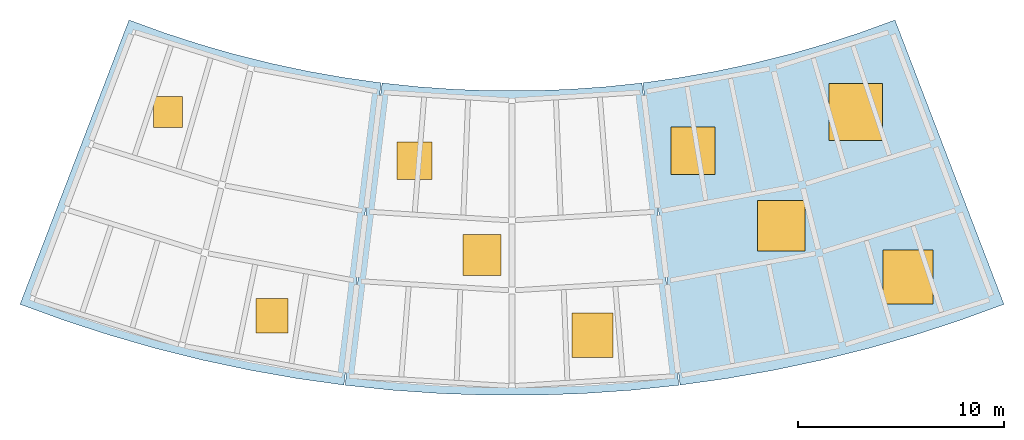
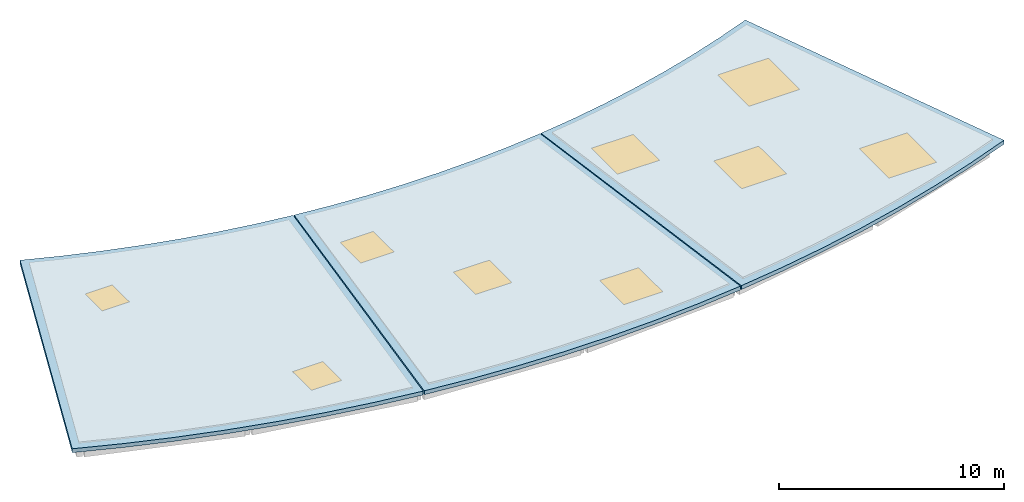
# One storey, part 2 of 3: 9 windows, 3 slabs, 9 openings, 1 element without a shape of its own.
"""IFC4 building model written with IfcOpenShell, lengths in metres."""

from ifc_helpers import new_model, si_unit, direction, frame, origin, origin_2d, place, context, subcontext, project, spatial, polyline, rectangle, outline, extrude, material, layer, layer_set, type_object, element, fill, aggregate, save


model = new_model("IFC4")

# Units and contexts
model_context = context("Model", 3, precision=1e-05, world=origin(), true_north=direction((0.0, 1.0)))
body_context = subcontext(model_context, "Body", "Model", "MODEL_VIEW")
ifc_project = project(units=[si_unit("LENGTHUNIT", "METRE"), si_unit("AREAUNIT", "SQUARE_METRE"), si_unit("VOLUMEUNIT", "CUBIC_METRE"), si_unit("PLANEANGLEUNIT", "RADIAN"), si_unit("MASSUNIT", "GRAM", prefix="KILO")], contexts=[model_context])

# Site, building, storey
site_placement = place(None, origin())
site = spatial("IfcSite", under=ifc_project, at=site_placement, CompositionType="ELEMENT")
building_placement = place(site_placement, origin())
building = spatial("IfcBuilding", under=site, at=building_placement, Name="Caldaven Crescent School", CompositionType="ELEMENT")
storey_placement = place(building_placement, frame((0.0, 0.0, 23.1201171875)))
storey = spatial("IfcBuildingStorey", under=building, at=storey_placement, Name="Roof", CompositionType="ELEMENT", Elevation=23.1201171875)

# Roof, slabs, openings, windows
roof_placement = place(storey_placement, origin())
roof = element("IfcRoof", 1, at=roof_placement, inside=storey, Name="ROOF-V5-CROWN", PredefinedType="FLAT_ROOF")
ifc_material_1 = material(Name="Cross-laminated timber CLT C24", Category="wood")
ifc_layer = layer(ifc_material_1, 0.2099609375)
ifc_layer_set = layer_set([ifc_layer], Name="Cross-laminated timber CLT C24")
slab_type = type_object("IfcSlabType", Name="SLB-RS4", PredefinedType="ROOF", material=ifc_layer_set)
slab_1_placement = place(storey_placement, frame((0.0, 0.0, -0.210205078125)))
slab_1 = element("IfcSlab", 2, at=slab_1_placement, type_object=slab_type, Name="SLB-ROOF-V5-B05", PredefinedType="ROOF", context=body_context, shape_type="SweptSolid", body=[
    extrude(outline(polyline([(64.086669921875, 33.626953125), (66.2705078125, 32.8330078125), (68.480712890625, 32.115478515625), (70.714599609375, 31.47509765625), (72.969482421875, 30.912841796875), (75.242431640625, 30.429443359375), (77.53076171875, 30.025390625), (79.83203125, 29.701171875), (81.6416015625, 44.39013671875), (79.850341796875, 44.642578125), (78.06884765625, 44.95703125), (76.299560546875, 45.33349609375), (74.54443359375, 45.77099609375), (72.805419921875, 46.26953125), (71.0849609375, 46.828125), (69.384765625, 47.4462890625), (64.086669921875, 33.626953125)])), origin(), (0.0, 0.0, 1.0), 0.210205078125),
])
opening_1_placement = place(slab_1_placement, frame((71.28076171875, 42.973388671875, -0.010009765625)))
opening_1 = element("IfcOpeningElement", 3, at=opening_1_placement, cuts=slab_1, Name="Opening SK01", PredefinedType="OPENING", context=body_context, shape_type="SweptSolid", body=[
    extrude(rectangle(XDim=1.39990234375, YDim=1.510009765625, at=origin_2d()), origin(), (0.0, 0.0, 1.0), 0.230224609375),
])
opening_2_placement = place(slab_1_placement, frame((76.3369140625, 33.07177734375, -0.010009765625)))
opening_2 = element("IfcOpeningElement", 4, at=opening_2_placement, cuts=slab_1, Name="Opening SK02", PredefinedType="OPENING", context=body_context, shape_type="SweptSolid", body=[
    extrude(rectangle(XDim=1.550048828125, YDim=1.669921875, at=origin_2d()), origin(), (0.0, 0.0, 1.0), 0.230224609375),
])
ifc_material_2 = material(Name="Thermally broken laminated safety skylight glazing", Category="glass")
window_type_1 = type_object("IfcWindowType", Name="WIN-SKY01", PartitioningType="SINGLE_PANEL", PredefinedType="SKYLIGHT", material=ifc_material_2)
window_1_placement = place(opening_1_placement, frame((0.0, 0.0, 0.170166015625)))
window_1 = element("IfcWindow", 5, at=window_1_placement, inside=storey, type_object=window_type_1, Name="SKY-ROOF-V5-01", OverallHeight=1.510009765625, OverallWidth=1.39990234375, PartitioningType="SINGLE_PANEL", PredefinedType="SKYLIGHT", context=body_context, shape_type="SweptSolid", body=[
    extrude(rectangle(XDim=1.39990234375, YDim=1.510009765625, at=origin_2d()), origin(), (0.0, 0.0, 1.0), 0.050048828125),
])
fill(opening_1, window_1)
window_type_2 = type_object("IfcWindowType", Name="WIN-SKY02", PartitioningType="SINGLE_PANEL", PredefinedType="SKYLIGHT", material=ifc_material_2)
window_2_placement = place(opening_2_placement, frame((0.0, 0.0, 0.170166015625)))
window_2 = element("IfcWindow", 6, at=window_2_placement, inside=storey, type_object=window_type_2, Name="SKY-ROOF-V5-02", OverallHeight=1.669921875, OverallWidth=1.550048828125, PartitioningType="SINGLE_PANEL", PredefinedType="SKYLIGHT", context=body_context, shape_type="SweptSolid", body=[
    extrude(rectangle(XDim=1.550048828125, YDim=1.669921875, at=origin_2d()), origin(), (0.0, 0.0, 1.0), 0.050048828125),
])
fill(opening_2, window_2)
slab_2_placement = place(storey_placement, frame((0.0, 0.0, -0.210205078125)))
slab_2 = element("IfcSlab", 7, at=slab_2_placement, type_object=slab_type, Name="SLB-ROOF-V5-B07", PredefinedType="ROOF", context=body_context, shape_type="SweptSolid", body=[
    extrude(outline(polyline([(79.88623046875, 29.694580078125), (82.197509765625, 29.452392578125), (84.515625, 29.291015625), (86.838134765625, 29.210205078125), (89.161865234375, 29.210205078125), (91.484375, 29.291015625), (93.802490234375, 29.452392578125), (96.11376953125, 29.694580078125), (94.316162109375, 44.385009765625), (92.516845703125, 44.196533203125), (90.71240234375, 44.07080078125), (88.904541015625, 44.0078125), (87.095458984375, 44.0078125), (85.28759765625, 44.07080078125), (83.483154296875, 44.196533203125), (81.683837890625, 44.385009765625), (79.88623046875, 29.694580078125)])), origin(), (0.0, 0.0, 1.0), 0.210205078125),
])
opening_3_placement = place(slab_2_placement, frame((83.250732421875, 40.603271484375, -0.010009765625)))
opening_3 = element("IfcOpeningElement", 8, at=opening_3_placement, cuts=slab_2, Name="Opening SK03", PredefinedType="OPENING", context=body_context, shape_type="SweptSolid", body=[
    extrude(rectangle(XDim=1.699951171875, YDim=1.830078125, at=origin_2d()), origin(), (0.0, 0.0, 1.0), 0.230224609375),
])
opening_4_placement = place(slab_2_placement, frame((86.5341796875, 36.017822265625, -0.010009765625)))
opening_4 = element("IfcOpeningElement", 9, at=opening_4_placement, cuts=slab_2, Name="Opening SK04", PredefinedType="OPENING", context=body_context, shape_type="SweptSolid", body=[
    extrude(rectangle(XDim=1.85009765625, YDim=1.989990234375, at=origin_2d()), origin(), (0.0, 0.0, 1.0), 0.230224609375),
])
opening_5_placement = place(slab_2_placement, frame((91.9072265625, 32.119384765625, -0.010009765625)))
opening_5 = element("IfcOpeningElement", 10, at=opening_5_placement, cuts=slab_2, Name="Opening SK05", PredefinedType="OPENING", context=body_context, shape_type="SweptSolid", body=[
    extrude(rectangle(XDim=2.0, YDim=2.14990234375, at=origin_2d()), origin(), (0.0, 0.0, 1.0), 0.230224609375),
])
window_type_3 = type_object("IfcWindowType", Name="WIN-SKY03", PartitioningType="SINGLE_PANEL", PredefinedType="SKYLIGHT", material=ifc_material_2)
window_3_placement = place(opening_3_placement, frame((0.0, 0.0, 0.170166015625)))
window_3 = element("IfcWindow", 11, at=window_3_placement, inside=storey, type_object=window_type_3, Name="SKY-ROOF-V5-03", OverallHeight=1.830078125, OverallWidth=1.699951171875, PartitioningType="SINGLE_PANEL", PredefinedType="SKYLIGHT", context=body_context, shape_type="SweptSolid", body=[
    extrude(rectangle(XDim=1.699951171875, YDim=1.830078125, at=origin_2d()), origin(), (0.0, 0.0, 1.0), 0.050048828125),
])
fill(opening_3, window_3)
window_type_4 = type_object("IfcWindowType", Name="WIN-SKY04", PartitioningType="SINGLE_PANEL", PredefinedType="SKYLIGHT", material=ifc_material_2)
window_4_placement = place(opening_4_placement, frame((0.0, 0.0, 0.170166015625)))
window_4 = element("IfcWindow", 12, at=window_4_placement, inside=storey, type_object=window_type_4, Name="SKY-ROOF-V5-04", OverallHeight=1.989990234375, OverallWidth=1.85009765625, PartitioningType="SINGLE_PANEL", PredefinedType="SKYLIGHT", context=body_context, shape_type="SweptSolid", body=[
    extrude(rectangle(XDim=1.85009765625, YDim=1.989990234375, at=origin_2d()), origin(), (0.0, 0.0, 1.0), 0.050048828125),
])
fill(opening_4, window_4)
window_type_5 = type_object("IfcWindowType", Name="WIN-SKY05", PartitioningType="SINGLE_PANEL", PredefinedType="SKYLIGHT", material=ifc_material_2)
window_5_placement = place(opening_5_placement, frame((0.0, 0.0, 0.170166015625)))
window_5 = element("IfcWindow", 13, at=window_5_placement, inside=storey, type_object=window_type_5, Name="SKY-ROOF-V5-05", OverallHeight=2.14990234375, OverallWidth=2.0, PartitioningType="SINGLE_PANEL", PredefinedType="SKYLIGHT", context=body_context, shape_type="SweptSolid", body=[
    extrude(rectangle(XDim=2.0, YDim=2.14990234375, at=origin_2d()), origin(), (0.0, 0.0, 1.0), 0.050048828125),
])
fill(opening_5, window_5)
slab_3_placement = place(storey_placement, frame((0.0, 0.0, -0.210205078125)))
slab_3 = element("IfcSlab", 14, at=slab_3_placement, type_object=slab_type, Name="SLB-ROOF-V5-B09", PredefinedType="ROOF", context=body_context, shape_type="SweptSolid", body=[
    extrude(outline(polyline([(96.16796875, 29.701171875), (98.46923828125, 30.025390625), (100.757568359375, 30.429443359375), (103.030517578125, 30.912841796875), (105.285400390625, 31.47509765625), (107.519287109375, 32.115478515625), (109.7294921875, 32.8330078125), (111.913330078125, 33.626953125), (106.615234375, 47.4462890625), (104.9150390625, 46.828125), (103.194580078125, 46.26953125), (101.45556640625, 45.77099609375), (99.700439453125, 45.33349609375), (97.93115234375, 44.95703125), (96.149658203125, 44.642578125), (94.3583984375, 44.39013671875), (96.16796875, 29.701171875)])), origin(), (0.0, 0.0, 1.0), 0.210205078125),
])
opening_6_placement = place(slab_3_placement, frame((96.793701171875, 41.099853515625, -0.010009765625)))
opening_6 = element("IfcOpeningElement", 15, at=opening_6_placement, cuts=slab_3, Name="Opening SK06", PredefinedType="OPENING", context=body_context, shape_type="SweptSolid", body=[
    extrude(rectangle(XDim=2.14990234375, YDim=2.31005859375, at=origin_2d()), origin(), (0.0, 0.0, 1.0), 0.230224609375),
])
opening_7_placement = place(slab_3_placement, frame((101.088623046875, 37.445068359375, -0.010009765625)))
opening_7 = element("IfcOpeningElement", 16, at=opening_7_placement, cuts=slab_3, Name="Opening SK07", PredefinedType="OPENING", context=body_context, shape_type="SweptSolid", body=[
    extrude(rectangle(XDim=2.300048828125, YDim=2.469970703125, at=origin_2d()), origin(), (0.0, 0.0, 1.0), 0.230224609375),
])
opening_8_placement = place(slab_3_placement, frame((107.2451171875, 34.962158203125, -0.010009765625)))
opening_8 = element("IfcOpeningElement", 17, at=opening_8_placement, cuts=slab_3, Name="Opening SK08", PredefinedType="OPENING", context=body_context, shape_type="SweptSolid", body=[
    extrude(rectangle(XDim=2.449951171875, YDim=2.6298828125, at=origin_2d()), origin(), (0.0, 0.0, 1.0), 0.230224609375),
])
opening_9_placement = place(slab_3_placement, frame((104.71923828125, 42.973388671875, -0.010009765625)))
opening_9 = element("IfcOpeningElement", 18, at=opening_9_placement, cuts=slab_3, Name="Opening SK09", PredefinedType="OPENING", context=body_context, shape_type="SweptSolid", body=[
    extrude(rectangle(XDim=2.60009765625, YDim=2.7900390625, at=origin_2d()), origin(), (0.0, 0.0, 1.0), 0.230224609375),
])
window_type_6 = type_object("IfcWindowType", Name="WIN-SKY06", PartitioningType="SINGLE_PANEL", PredefinedType="SKYLIGHT", material=ifc_material_2)
window_6_placement = place(opening_6_placement, frame((0.0, 0.0, 0.170166015625)))
window_6 = element("IfcWindow", 19, at=window_6_placement, inside=storey, type_object=window_type_6, Name="SKY-ROOF-V5-06", OverallHeight=2.31005859375, OverallWidth=2.14990234375, PartitioningType="SINGLE_PANEL", PredefinedType="SKYLIGHT", context=body_context, shape_type="SweptSolid", body=[
    extrude(rectangle(XDim=2.14990234375, YDim=2.31005859375, at=origin_2d()), origin(), (0.0, 0.0, 1.0), 0.050048828125),
])
fill(opening_6, window_6)
window_type_7 = type_object("IfcWindowType", Name="WIN-SKY07", PartitioningType="SINGLE_PANEL", PredefinedType="SKYLIGHT", material=ifc_material_2)
window_7_placement = place(opening_7_placement, frame((0.0, 0.0, 0.170166015625)))
window_7 = element("IfcWindow", 20, at=window_7_placement, inside=storey, type_object=window_type_7, Name="SKY-ROOF-V5-07", OverallHeight=2.469970703125, OverallWidth=2.300048828125, PartitioningType="SINGLE_PANEL", PredefinedType="SKYLIGHT", context=body_context, shape_type="SweptSolid", body=[
    extrude(rectangle(XDim=2.300048828125, YDim=2.469970703125, at=origin_2d()), origin(), (0.0, 0.0, 1.0), 0.050048828125),
])
fill(opening_7, window_7)
window_type_8 = type_object("IfcWindowType", Name="WIN-SKY08", PartitioningType="SINGLE_PANEL", PredefinedType="SKYLIGHT", material=ifc_material_2)
window_8_placement = place(opening_8_placement, frame((0.0, 0.0, 0.170166015625)))
window_8 = element("IfcWindow", 21, at=window_8_placement, inside=storey, type_object=window_type_8, Name="SKY-ROOF-V5-08", OverallHeight=2.6298828125, OverallWidth=2.449951171875, PartitioningType="SINGLE_PANEL", PredefinedType="SKYLIGHT", context=body_context, shape_type="SweptSolid", body=[
    extrude(rectangle(XDim=2.449951171875, YDim=2.6298828125, at=origin_2d()), origin(), (0.0, 0.0, 1.0), 0.050048828125),
])
fill(opening_8, window_8)
window_type_9 = type_object("IfcWindowType", Name="WIN-SKY09", PartitioningType="SINGLE_PANEL", PredefinedType="SKYLIGHT", material=ifc_material_2)
window_9_placement = place(opening_9_placement, frame((0.0, 0.0, 0.170166015625)))
window_9 = element("IfcWindow", 22, at=window_9_placement, inside=storey, type_object=window_type_9, Name="SKY-ROOF-V5-09", OverallHeight=2.7900390625, OverallWidth=2.60009765625, PartitioningType="SINGLE_PANEL", PredefinedType="SKYLIGHT", context=body_context, shape_type="SweptSolid", body=[
    extrude(rectangle(XDim=2.60009765625, YDim=2.7900390625, at=origin_2d()), origin(), (0.0, 0.0, 1.0), 0.050048828125),
])
fill(opening_9, window_9)
aggregate(roof, [slab_1, slab_2, slab_3])

save(model, "model.ifc")
